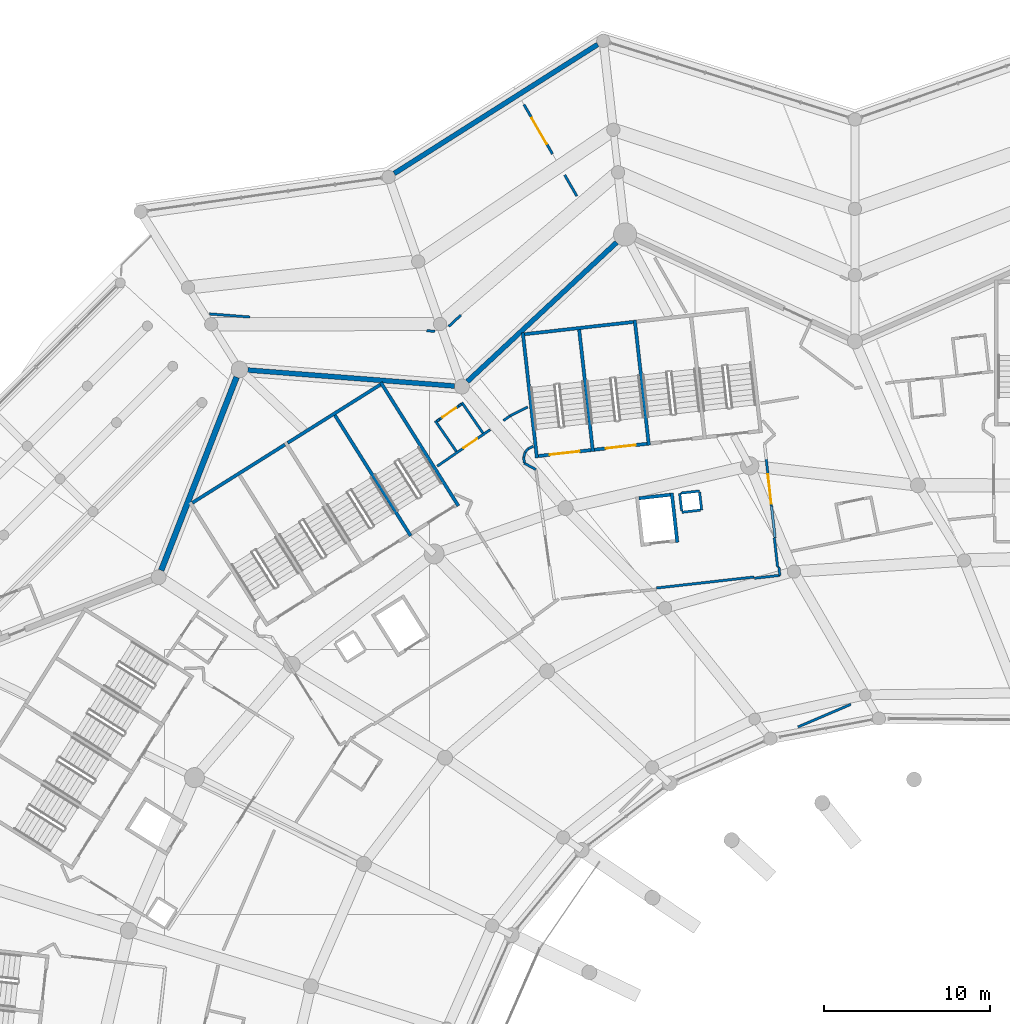
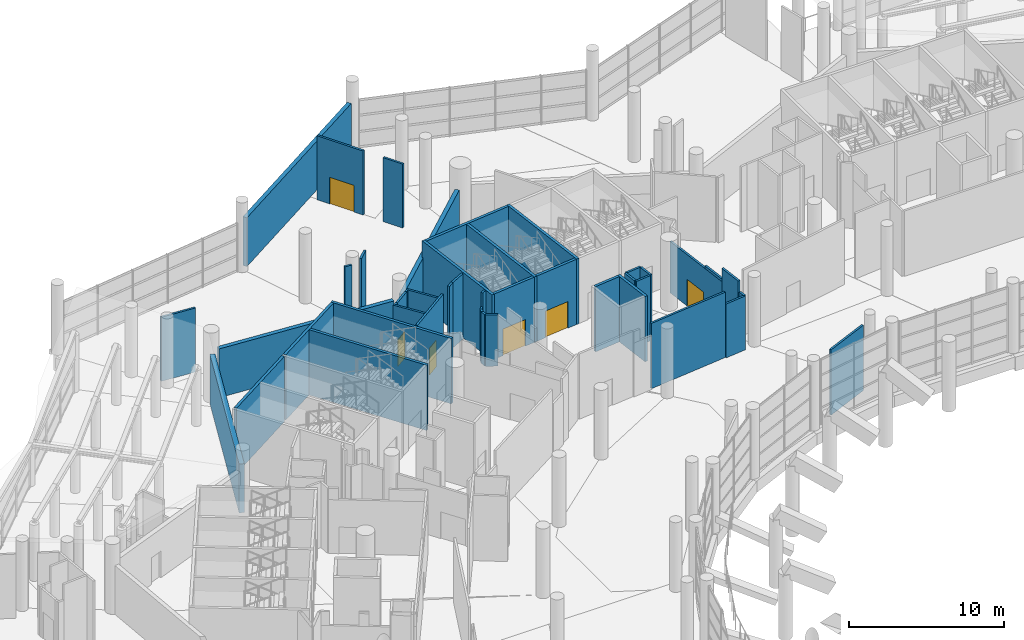
# One storey, part 186 of 271: 45 walls, 6 doors, 6 openings.
"""IFC4 building model written with IfcOpenShell, lengths in metres."""

from ifc_helpers import new_model, si_unit, direction, frame, frame_2d, origin, place, context, subcontext, project, spatial, rectangle, extrude, material, layer, layer_set, type_object, element, fill, save


model = new_model("IFC4")

# Units and contexts
model_context = context("Model", 3, precision=1e-05, world=origin(), true_north=direction((0.0, 1.0)))
body_context = subcontext(model_context, "Body", "Model", "MODEL_VIEW")
ifc_project = project(units=[si_unit("LENGTHUNIT", "METRE"), si_unit("AREAUNIT", "SQUARE_METRE"), si_unit("VOLUMEUNIT", "CUBIC_METRE"), si_unit("PLANEANGLEUNIT", "RADIAN"), si_unit("MASSUNIT", "GRAM", prefix="KILO")], contexts=[model_context])

# Site, building, storey
site_placement = place(None, origin())
site = spatial("IfcSite", under=ifc_project, at=site_placement, CompositionType="ELEMENT")
building_placement = place(site_placement, origin())
building = spatial("IfcBuilding", under=site, at=building_placement, Name="Meseta Stadium", CompositionType="ELEMENT")
storey_placement = place(building_placement, frame((0.0, 0.0, 6.5)))
storey = spatial("IfcBuildingStorey", under=building, at=storey_placement, Name="L01", CompositionType="ELEMENT", Elevation=6.5)

# Walls
ifc_material_1 = material(Name="Concrete C40/50", Category="concrete")
ifc_layer_1 = layer(ifc_material_1, 0.199951171875)
ifc_layer_set_1 = layer_set([ifc_layer_1], Name="Core divider wall 200")
wall_type_1 = type_object("IfcWallType", Name="Core divider wall 200", PredefinedType="SHEAR", material=ifc_layer_set_1)
wall_1_placement = place(storey_placement, frame((-54.999267578125, 99.503662109375, 0.0), z_axis=(0.0, 0.0, 1.0), x_axis=(0.111982724367, -0.993710153638, 0.0)))
element("IfcWall", 1, at=wall_1_placement, inside=storey, type_object=wall_type_1, Name="Core 12 L01 stair B divider wall", PredefinedType="SHEAR", context=body_context, shape_type="SweptSolid", body=[
    extrude(rectangle(XDim=7.60009765625, YDim=0.199951171875, at=frame_2d((3.800048828125, 0.0))), origin(), (0.0, 0.0, 1.0), 5.14990234375),
])
wall_2_placement = place(storey_placement, frame((-69.8291015625, 94.314453125, 0.0), z_axis=(0.0, 0.0, 1.0), x_axis=(0.532032334759, -0.846724036963, 0.0)))
element("IfcWall", 2, at=wall_2_placement, inside=storey, type_object=wall_type_1, Name="Core 13 L01 stair A divider wall", PredefinedType="SHEAR", context=body_context, shape_type="SweptSolid", body=[
    extrude(rectangle(XDim=8.800048828125, YDim=0.199951171875, at=frame_2d((4.39990234375, 0.0))), origin(), (0.0, 0.0, 1.0), 5.14990234375),
])
ifc_material_2 = material(Name="Concrete C40/50", Category="concrete")
ifc_layer_2 = layer(ifc_material_2, 0.199951171875)
ifc_layer_set_2 = layer_set([ifc_layer_2], Name="Core shaft wall 200")
wall_type_2 = type_object("IfcWallType", Name="Core shaft wall 200", PredefinedType="SHEAR", material=ifc_layer_set_2)
wall_3_placement = place(storey_placement, frame((-51.62060546875, 99.884521484375, 0.0), z_axis=(0.0, 0.0, 1.0), x_axis=(0.111947429915, -0.993714130389, 0.0)))
element("IfcWall", 3, at=wall_3_placement, inside=storey, type_object=wall_type_2, Name="Core 12 L01 stair wall shared", PredefinedType="SHEAR", context=body_context, shape_type="SweptSolid", body=[
    extrude(rectangle(XDim=7.600341796875, YDim=0.199951171875, at=frame_2d((3.80029296875, 0.0))), origin(), (0.0, 0.0, 1.0), 5.14990234375),
])
wall_4_placement = place(storey_placement, frame((-58.3779296875, 99.123046875, 0.0), z_axis=(0.0, 0.0, 1.0), x_axis=(0.111982724367, -0.993710153638, 0.0)))
element("IfcWall", 4, at=wall_4_placement, inside=storey, type_object=wall_type_2, Name="Core 12 L01 stair wall B-side", PredefinedType="SHEAR", context=body_context, shape_type="SweptSolid", body=[
    extrude(rectangle(XDim=7.60009765625, YDim=0.199951171875, at=frame_2d((3.800048828125, 0.0))), origin(), (0.0, 0.0, 1.0), 5.14990234375),
])
wall_5_placement = place(storey_placement, frame((-51.708740234375, 99.773681640625, 0.0), z_axis=(0.0, 0.0, 1.0), x_axis=(-0.993715690617, -0.111933579504, 0.0)))
element("IfcWall", 5, at=wall_5_placement, inside=storey, type_object=wall_type_2, Name="Core 12 L01 stair B outer end wall", PredefinedType="SHEAR", context=body_context, shape_type="SweptSolid", body=[
    extrude(rectangle(XDim=6.60009765625, YDim=0.199951171875, at=frame_2d((3.300048828125, 0.0))), origin(), (0.0, 0.0, 1.0), 5.14990234375),
])

# Wall, opening, door
wall_6_placement = place(storey_placement, frame((-50.88037109375, 92.42041015625, 0.0), z_axis=(0.0, 0.0, 1.0), x_axis=(-0.993707560215, -0.112005735442, 0.0)))
wall_6 = element("IfcWall", 6, at=wall_6_placement, inside=storey, type_object=wall_type_2, Name="Core 12 L01 stair B1 inner end wall", PredefinedType="SHEAR", context=body_context, shape_type="SweptSolid", body=[
    extrude(rectangle(XDim=3.19970703125, YDim=0.199951171875, at=frame_2d((1.599853515625, 0.0))), origin(), (0.0, 0.0, 1.0), 5.14990234375),
])
opening_1_placement = place(wall_6_placement, frame((0.699951171875, 0.0, 0.0)))
opening_1 = element("IfcOpeningElement", 7, at=opening_1_placement, cuts=wall_6, Name="Opening D173", PredefinedType="OPENING", context=body_context, shape_type="SweptSolid", body=[
    extrude(rectangle(XDim=1.800048828125, YDim=2.10009765625, at=frame_2d((0.89990234375, 1.050048828125))), frame((0.0, 0.10986328125, 0.0), z_axis=(0.0, -1.0, 0.0), x_axis=(1.0, 0.0, 0.0)), (0.0, 0.0, 1.0), 0.219970703125),
])
ifc_material_3 = material(Name="Steel", Category="steel")
door_type_1 = type_object("IfcDoorType", Name="Stair door 1800x2100", OperationType="DOUBLE_DOOR_SINGLE_SWING", PredefinedType="DOOR", material=ifc_material_3)
door_1_placement = place(opening_1_placement, origin())
door_1 = element("IfcDoor", 8, at=door_1_placement, inside=storey, type_object=door_type_1, Name="Stair B1 door 12 L01", OperationType="DOUBLE_DOOR_SINGLE_SWING", OverallHeight=2.10009765625, OverallWidth=1.800048828125, PredefinedType="DOOR", context=body_context, shape_type="SweptSolid", body=[
    extrude(rectangle(XDim=1.800048828125, YDim=2.10009765625, at=frame_2d((0.89990234375, 1.050048828125))), frame((0.0, 0.02490234375, 0.0), z_axis=(0.0, -1.0, 0.0), x_axis=(1.0, 0.0, 0.0)), (0.0, 0.0, 1.0), 0.050048828125),
])
fill(opening_1, door_1)

wall_7_placement = place(storey_placement, frame((-54.2587890625, 92.03955078125, 0.0), z_axis=(0.0, 0.0, 1.0), x_axis=(-0.993717005286, -0.11192190762, 0.0)))
wall_7 = element("IfcWall", 9, at=wall_7_placement, inside=storey, type_object=wall_type_2, Name="Core 12 L01 stair B2 inner end wall", PredefinedType="SHEAR", context=body_context, shape_type="SweptSolid", body=[
    extrude(rectangle(XDim=3.199951171875, YDim=0.199951171875, at=frame_2d((1.60009765625, 0.0))), origin(), (0.0, 0.0, 1.0), 5.14990234375),
])
opening_2_placement = place(wall_7_placement, frame((0.699951171875, 0.0, 0.0)))
opening_2 = element("IfcOpeningElement", 10, at=opening_2_placement, cuts=wall_7, Name="Opening D174", PredefinedType="OPENING", context=body_context, shape_type="SweptSolid", body=[
    extrude(rectangle(XDim=1.800048828125, YDim=2.10009765625, at=frame_2d((0.89990234375, 1.050048828125))), frame((0.0, 0.10986328125, 0.0), z_axis=(0.0, -1.0, 0.0), x_axis=(1.0, 0.0, 0.0)), (0.0, 0.0, 1.0), 0.219970703125),
])
door_2_placement = place(opening_2_placement, origin())
door_2 = element("IfcDoor", 11, at=door_2_placement, inside=storey, type_object=door_type_1, Name="Stair B2 door 12 L01", OperationType="DOUBLE_DOOR_SINGLE_SWING", OverallHeight=2.10009765625, OverallWidth=1.800048828125, PredefinedType="DOOR", context=body_context, shape_type="SweptSolid", body=[
    extrude(rectangle(XDim=1.800048828125, YDim=2.10009765625, at=frame_2d((0.89990234375, 1.050048828125))), frame((0.0, 0.02490234375, 0.0), z_axis=(0.0, -1.0, 0.0), x_axis=(1.0, 0.0, 0.0)), (0.0, 0.0, 1.0), 0.050048828125),
])
fill(opening_2, door_2)

# Walls
wall_8_placement = place(storey_placement, frame((-49.388671875, 89.45361328125, 0.0), z_axis=(0.0, 0.0, 1.0), x_axis=(0.111976588553, -0.993710845073, 0.0)))
element("IfcWall", 12, at=wall_8_placement, inside=storey, type_object=wall_type_2, Name="Core 12 L01 lift shaft wall left", PredefinedType="SHEAR", context=body_context, shape_type="SweptSolid", body=[
    extrude(rectangle(XDim=3.0, YDim=0.199951171875, at=frame_2d((1.5, 0.0))), origin(), (0.0, 0.0, 1.0), 5.14990234375),
])
wall_9_placement = place(storey_placement, frame((-49.476806640625, 89.343017578125, 0.0), z_axis=(0.0, 0.0, 1.0), x_axis=(-0.993718105662, -0.11191213732, 0.0)))
element("IfcWall", 13, at=wall_9_placement, inside=storey, type_object=wall_type_2, Name="Core 12 L01 lift shaft back wall", PredefinedType="SHEAR", context=body_context, shape_type="SweptSolid", body=[
    extrude(rectangle(XDim=1.900146484375, YDim=0.199951171875, at=frame_2d((0.9501953125, 0.0))), origin(), (0.0, 0.0, 1.0), 5.14990234375),
])
wall_10_placement = place(storey_placement, frame((-66.9501953125, 96.123291015625, 0.0), z_axis=(0.0, 0.0, 1.0), x_axis=(0.532032334759, -0.846724036963, 0.0)))
element("IfcWall", 14, at=wall_10_placement, inside=storey, type_object=wall_type_2, Name="Core 13 L01 stair wall A-side", PredefinedType="SHEAR", context=body_context, shape_type="SweptSolid", body=[
    extrude(rectangle(XDim=8.800048828125, YDim=0.199951171875, at=frame_2d((4.39990234375, 0.0))), origin(), (0.0, 0.0, 1.0), 5.14990234375),
])
for number, where, z_axis, x_axis, name in (
    (15, (-66.981689453125, 95.985595703125, 0.0), (0.0, 0.0, 1.0), (-0.846719870989, -0.532038964807, 0.0), "Core 13 L01 stair A outer end wall"),
    (16, (-72.739501953125, 92.36767578125, 0.0), (0.0, 0.0, 1.0), (-0.846719870989, -0.532038964807, 0.0), "Core 13 L01 stair B outer end wall"),
):
    element("IfcWall", number, at=place(storey_placement, frame(where, z_axis=z_axis, x_axis=x_axis)), inside=storey, type_object=wall_type_2, Name=name, PredefinedType="SHEAR", context=body_context, shape_type="SweptSolid", body=[
        extrude(rectangle(XDim=6.60009765625, YDim=0.199951171875, at=frame_2d((3.300048828125, 0.0))), origin(), (0.0, 0.0, 1.0), 5.14990234375),
    ])
ifc_material_4 = material(Name="Masonry blockwork", Category="masonry")
ifc_layer_3 = layer(ifc_material_4, 0.14990234375)
ifc_layer_set_3 = layer_set([ifc_layer_3], Name="Partition 150")
wall_type_3 = type_object("IfcWallType", Name="Partition 150", PredefinedType="PARTITIONING", material=ifc_layer_set_3)
wall_11_placement = place(storey_placement, frame((-50.31591796875, 83.7138671875, 0.0), z_axis=(0.0, 0.0, 1.0), x_axis=(0.993716960296, 0.111922307073, 0.0)))
element("IfcWall", 17, at=wall_11_placement, inside=storey, type_object=wall_type_3, Name="Partition L01 L01-cell11-0-0", PredefinedType="PARTITIONING", context=body_context, shape_type="SweptSolid", body=[
    extrude(rectangle(XDim=5.93115234375, YDim=0.14990234375, at=frame_2d((2.965576171875, 0.0))), origin(), (0.0, 0.0, 1.0), 5.14990234375),
])
wall_12_placement = place(storey_placement, frame((-42.998291015625, 84.985595703125, 0.0), z_axis=(0.0, 0.0, 1.0), x_axis=(-0.111954160668, 0.993713372109, 0.0)))
element("IfcWall", 18, at=wall_12_placement, inside=storey, type_object=wall_type_3, Name="Partition L01 L01-cell11-0-0", PredefinedType="PARTITIONING", context=body_context, shape_type="SweptSolid", body=[
    extrude(rectangle(XDim=1.77734375, YDim=0.14990234375, at=frame_2d((0.888671875, 0.0))), origin(), (0.0, 0.0, 1.0), 5.14990234375),
])
wall_13_placement = place(storey_placement, frame((-38.578369140625, 76.695068359375, 0.0), z_axis=(0.0, 0.0, 1.0), x_axis=(-0.919265141215, -0.393638921026, 0.0)))
element("IfcWall", 19, at=wall_13_placement, inside=storey, type_object=wall_type_3, Name="Partition L01 L01-cell11-0-0", PredefinedType="PARTITIONING", context=body_context, shape_type="SweptSolid", body=[
    extrude(rectangle(XDim=3.46826171875, YDim=0.14990234375, at=frame_2d((1.734130859375, 0.0))), origin(), (0.0, 0.0, 1.0), 5.14990234375),
])
wall_14_placement = place(storey_placement, frame((-58.07421875, 94.64111328125, 0.0), z_axis=(0.0, 0.0, 1.0), x_axis=(-0.89288454256, -0.450285680049, 0.0)))
element("IfcWall", 20, at=wall_14_placement, inside=storey, type_object=wall_type_3, Name="Partition L01 L01-cell11-2-0", PredefinedType="PARTITIONING", context=body_context, shape_type="SweptSolid", body=[
    extrude(rectangle(XDim=1.20703125, YDim=0.14990234375, at=frame_2d((0.603515625, 0.0))), origin(), (0.0, 0.0, 1.0), 5.14990234375),
])
wall_15_placement = place(storey_placement, frame((-59.15185546875, 94.09765625, 0.0), z_axis=(0.0, 0.0, 1.0), x_axis=(-0.823188427996, -0.567768273165, 0.0)))
element("IfcWall", 21, at=wall_15_placement, inside=storey, type_object=wall_type_3, Name="Partition L01 L01-cell11-2-0", PredefinedType="PARTITIONING", context=body_context, shape_type="SweptSolid", body=[
    extrude(rectangle(XDim=0.484619140625, YDim=0.14990234375, at=frame_2d((0.2421875, 0.0))), origin(), (0.0, 0.0, 1.0), 5.14990234375),
])

# Wall, opening, door
wall_16_placement = place(storey_placement, frame((-60.348388671875, 93.272216796875, 0.0), z_axis=(0.0, 0.0, 1.0), x_axis=(-0.823118384127, -0.567869814053, 0.0)))
wall_16 = element("IfcWall", 22, at=wall_16_placement, inside=storey, type_object=wall_type_3, Name="Partition L01 L01-cell11-2-0", PredefinedType="PARTITIONING", context=body_context, shape_type="SweptSolid", body=[
    extrude(rectangle(XDim=3.876708984375, YDim=0.14990234375, at=frame_2d((1.9384765625, 0.0))), origin(), (0.0, 0.0, 1.0), 5.14990234375),
])
opening_3_placement = place(wall_16_placement, frame((0.949951171875, 0.0, 0.0)))
opening_3 = element("IfcOpeningElement", 23, at=opening_3_placement, cuts=wall_16, Name="Opening D655", PredefinedType="OPENING", context=body_context, shape_type="SweptSolid", body=[
    extrude(rectangle(XDim=1.0, YDim=2.10009765625, at=frame_2d((0.5, 1.050048828125))), frame((0.0, 0.0849609375, 0.0), z_axis=(0.0, -1.0, 0.0), x_axis=(1.0, 0.0, 0.0)), (0.0, 0.0, 1.0), 0.169921875),
])
ifc_material_5 = material(Name="Steel", Category="steel")
door_type_2 = type_object("IfcDoorType", Name="Fire door 1000x2100 EI2 60", OperationType="NOTDEFINED", PredefinedType="DOOR", material=ifc_material_5)
door_3_placement = place(opening_3_placement, origin())
door_3 = element("IfcDoor", 24, at=door_3_placement, inside=storey, type_object=door_type_2, Name="Door D655", OperationType="SINGLE_SWING_LEFT", OverallHeight=2.10009765625, OverallWidth=1.0, PredefinedType="DOOR", context=body_context, shape_type="SweptSolid", body=[
    extrude(rectangle(XDim=1.0, YDim=2.10009765625, at=frame_2d((0.5, 1.050048828125))), frame((0.0, 0.02490234375, 0.0), z_axis=(0.0, -1.0, 0.0), x_axis=(1.0, 0.0, 0.0)), (0.0, 0.0, 1.0), 0.050048828125),
])
fill(opening_3, door_3)

# Wall
wall_17_placement = place(storey_placement, frame((-55.113525390625, 107.367431640625, 0.0), z_axis=(0.0, 0.0, 1.0), x_axis=(-0.500539815233, 0.865713516913, 0.0)))
element("IfcWall", 25, at=wall_17_placement, inside=storey, type_object=wall_type_3, Name="Partition L01 L01-ring10-0", PredefinedType="PARTITIONING", context=body_context, shape_type="SweptSolid", body=[
    extrude(rectangle(XDim=1.473388671875, YDim=0.14990234375, at=frame_2d((0.73681640625, 0.0))), origin(), (0.0, 0.0, 1.0), 5.050048828125),
])

# Wall, opening, door
wall_18_placement = place(storey_placement, frame((-56.58837890625, 109.918701171875, 0.0), z_axis=(0.0, 0.0, 1.0), x_axis=(-0.500453880067, 0.865763197373, 0.0)))
wall_18 = element("IfcWall", 26, at=wall_18_placement, inside=storey, type_object=wall_type_3, Name="Partition L01 L01-ring10-0", PredefinedType="PARTITIONING", context=body_context, shape_type="SweptSolid", body=[
    extrude(rectangle(XDim=3.437744140625, YDim=0.14990234375, at=frame_2d((1.71875, 0.0))), origin(), (0.0, 0.0, 1.0), 5.050048828125),
])
opening_4_placement = place(wall_18_placement, frame((0.699951171875, 0.0, 0.0)))
opening_4 = element("IfcOpeningElement", 27, at=opening_4_placement, cuts=wall_18, Name="Opening D693", PredefinedType="OPENING", context=body_context, shape_type="SweptSolid", body=[
    extrude(rectangle(XDim=1.800048828125, YDim=2.10009765625, at=frame_2d((0.89990234375, 1.050048828125))), frame((0.0, 0.0849609375, 0.0), z_axis=(0.0, -1.0, 0.0), x_axis=(1.0, 0.0, 0.0)), (0.0, 0.0, 1.0), 0.169921875),
])
ifc_material_6 = material(Name="Steel", Category="steel")
door_type_3 = type_object("IfcDoorType", Name="Fire double door 1800x2100 EI2 60", OperationType="DOUBLE_DOOR_SINGLE_SWING", PredefinedType="DOOR", material=ifc_material_6)
door_4_placement = place(opening_4_placement, origin())
door_4 = element("IfcDoor", 28, at=door_4_placement, inside=storey, type_object=door_type_3, Name="Door D693", OperationType="DOUBLE_DOOR_SINGLE_SWING", OverallHeight=2.10009765625, OverallWidth=1.800048828125, PredefinedType="DOOR", context=body_context, shape_type="SweptSolid", body=[
    extrude(rectangle(XDim=1.800048828125, YDim=2.10009765625, at=frame_2d((0.89990234375, 1.050048828125))), frame((0.0, 0.02490234375, 0.0), z_axis=(0.0, -1.0, 0.0), x_axis=(1.0, 0.0, 0.0)), (0.0, 0.0, 1.0), 0.050048828125),
])
fill(opening_4, door_4)

# Walls
wall_19_placement = place(storey_placement, frame((-62.123046875, 100.180419921875, 0.0), z_axis=(0.0, 0.0, 1.0), x_axis=(-0.731655638736, -0.681674428379, 0.0)))
element("IfcWall", 29, at=wall_19_placement, inside=storey, type_object=wall_type_3, Name="Partition L01 L01-ring11-0", PredefinedType="PARTITIONING", context=body_context, shape_type="SweptSolid", body=[
    extrude(rectangle(XDim=0.98681640625, YDim=0.14990234375, at=frame_2d((0.493408203125, 0.0))), origin(), (0.0, 0.0, 1.0), 5.050048828125),
])
wall_20_placement = place(storey_placement, frame((-63.691162109375, 99.208740234375, 0.0), z_axis=(0.0, 0.0, 1.0), x_axis=(-0.997054485502, 0.076696498885, 0.0)))
element("IfcWall", 30, at=wall_20_placement, inside=storey, type_object=wall_type_3, Name="Partition L01 L01-ring11-0", PredefinedType="PARTITIONING", context=body_context, shape_type="SweptSolid", body=[
    extrude(rectangle(XDim=0.487060546875, YDim=0.14990234375, at=frame_2d((0.24365234375, 0.0))), origin(), (0.0, 0.0, 1.0), 5.050048828125),
])
wall_21_placement = place(storey_placement, frame((-74.8564453125, 100.0703125, 0.0), z_axis=(0.0, 0.0, 1.0), x_axis=(-0.99703735319, 0.076918894578, 0.0)))
element("IfcWall", 31, at=wall_21_placement, inside=storey, type_object=wall_type_3, Name="Partition L01 L01-ring11-0", PredefinedType="PARTITIONING", context=body_context, shape_type="SweptSolid", body=[
    extrude(rectangle(XDim=2.4345703125, YDim=0.14990234375, at=frame_2d((1.21728515625, 0.0))), origin(), (0.0, 0.0, 1.0), 5.050048828125),
])
wall_22_placement = place(storey_placement, frame((-47.7158203125, 89.566650390625, 0.0), z_axis=(0.0, 0.0, 1.0), x_axis=(-0.993710504932, -0.11197960702, 0.0)))
element("IfcWall", 32, at=wall_22_placement, inside=storey, type_object=wall_type_3, Name="Pressurisation shaft wall L01 core 12", PredefinedType="PARTITIONING", context=body_context, shape_type="SweptSolid", body=[
    extrude(rectangle(XDim=1.125, YDim=0.14990234375, at=frame_2d((0.5625, 0.0))), origin(), (0.0, 0.0, 1.0), 5.14990234375),
])
wall_23_placement = place(storey_placement, frame((-48.908203125, 89.432373046875, 0.0), z_axis=(0.0, 0.0, 1.0), x_axis=(0.111951742856, -0.993713644503, 0.0)))
element("IfcWall", 33, at=wall_23_placement, inside=storey, type_object=wall_type_3, Name="Pressurisation shaft wall L01 core 12", PredefinedType="PARTITIONING", context=body_context, shape_type="SweptSolid", body=[
    extrude(rectangle(XDim=1.0751953125, YDim=0.14990234375, at=frame_2d((0.53759765625, 0.0))), origin(), (0.0, 0.0, 1.0), 5.14990234375),
])
wall_24_placement = place(storey_placement, frame((-48.779541015625, 88.28955078125, 0.0), z_axis=(0.0, 0.0, 1.0), x_axis=(0.993710504932, 0.11197960702, 0.0)))
element("IfcWall", 34, at=wall_24_placement, inside=storey, type_object=wall_type_3, Name="Pressurisation shaft wall L01 core 12", PredefinedType="PARTITIONING", context=body_context, shape_type="SweptSolid", body=[
    extrude(rectangle(XDim=1.125, YDim=0.14990234375, at=frame_2d((0.5625, 0.0))), origin(), (0.0, 0.0, 1.0), 5.14990234375),
])
wall_25_placement = place(storey_placement, frame((-47.587158203125, 88.423828125, 0.0), z_axis=(0.0, 0.0, 1.0), x_axis=(-0.111951742856, 0.993713644503, 0.0)))
element("IfcWall", 35, at=wall_25_placement, inside=storey, type_object=wall_type_3, Name="Pressurisation shaft wall L01 core 12", PredefinedType="PARTITIONING", context=body_context, shape_type="SweptSolid", body=[
    extrude(rectangle(XDim=1.0751953125, YDim=0.14990234375, at=frame_2d((0.53759765625, 0.0))), origin(), (0.0, 0.0, 1.0), 5.14990234375),
])
wall_26_placement = place(storey_placement, frame((-57.74609375, 92.279296875, 0.0), z_axis=(0.0, 0.0, 1.0), x_axis=(-0.893189909604, -0.449679647506, 0.0)))
element("IfcWall", 36, at=wall_26_placement, inside=storey, type_object=wall_type_3, Name="Stair vestibule wall L01 core 12", PredefinedType="PARTITIONING", context=body_context, shape_type="SweptSolid", body=[
    extrude(rectangle(XDim=0.356201171875, YDim=0.14990234375, at=frame_2d((0.17822265625, 0.0))), origin(), (0.0, 0.0, 1.0), 5.14990234375),
])
wall_27_placement = place(storey_placement, frame((-58.064208984375, 92.119140625, 0.0), z_axis=(0.0, 0.0, 1.0), x_axis=(-0.623858642008, -0.781537199878, 0.0)))
element("IfcWall", 37, at=wall_27_placement, inside=storey, type_object=wall_type_3, Name="Stair vestibule wall L01 core 12", PredefinedType="PARTITIONING", context=body_context, shape_type="SweptSolid", body=[
    extrude(rectangle(XDim=0.284912109375, YDim=0.14990234375, at=frame_2d((0.142578125, 0.0))), origin(), (0.0, 0.0, 1.0), 4.050048828125),
])
wall_28_placement = place(storey_placement, frame((-58.241943359375, 91.896484375, 0.0), z_axis=(0.0, 0.0, 1.0), x_axis=(-0.277006965163, -0.960867910408, 0.0)))
element("IfcWall", 38, at=wall_28_placement, inside=storey, type_object=wall_type_3, Name="Stair vestibule wall L01 core 12", PredefinedType="PARTITIONING", context=body_context, shape_type="SweptSolid", body=[
    extrude(rectangle(XDim=0.281982421875, YDim=0.14990234375, at=frame_2d((0.14111328125, 0.0))), origin(), (0.0, 0.0, 1.0), 4.050048828125),
])
wall_29_placement = place(storey_placement, frame((-58.320068359375, 91.62548828125, 0.0), z_axis=(0.0, 0.0, 1.0), x_axis=(0.07351223589, -0.997294315222, 0.0)))
element("IfcWall", 39, at=wall_29_placement, inside=storey, type_object=wall_type_3, Name="Stair vestibule wall L01 core 12", PredefinedType="PARTITIONING", context=body_context, shape_type="SweptSolid", body=[
    extrude(rectangle(XDim=0.375244140625, YDim=0.14990234375, at=frame_2d((0.1875, 0.0))), origin(), (0.0, 0.0, 1.0), 4.050048828125),
])
wall_30_placement = place(storey_placement, frame((-58.29248046875, 91.251220703125, 0.0), z_axis=(0.0, 0.0, 1.0), x_axis=(0.876841522973, -0.480779516608, 0.0)))
element("IfcWall", 40, at=wall_30_placement, inside=storey, type_object=wall_type_3, Name="Stair vestibule wall L01 core 12", PredefinedType="PARTITIONING", context=body_context, shape_type="SweptSolid", body=[
    extrude(rectangle(XDim=0.79833984375, YDim=0.14990234375, at=frame_2d((0.399169921875, 0.0))), origin(), (0.0, 0.0, 1.0), 4.050048828125),
])
wall_31_placement = place(storey_placement, frame((-44.40380859375, 84.304443359375, 0.0), z_axis=(0.0, 0.0, 1.0), x_axis=(0.993711371041, 0.111971920876, 0.0)))
element("IfcWall", 41, at=wall_31_placement, inside=storey, type_object=wall_type_3, Name="Stair vestibule wall L01 core 12", PredefinedType="PARTITIONING", context=body_context, shape_type="SweptSolid", body=[
    extrude(rectangle(XDim=1.548095703125, YDim=0.14990234375, at=frame_2d((0.77392578125, 0.0))), origin(), (0.0, 0.0, 1.0), 4.25),
])
wall_32_placement = place(storey_placement, frame((-42.865478515625, 84.477783203125, 0.0), z_axis=(0.0, 0.0, 1.0), x_axis=(-0.112167534238, 0.993689309726, 0.0)))
element("IfcWall", 42, at=wall_32_placement, inside=storey, type_object=wall_type_3, Name="Stair vestibule wall L01 core 12", PredefinedType="PARTITIONING", context=body_context, shape_type="SweptSolid", body=[
    extrude(rectangle(XDim=0.50927734375, YDim=0.14990234375, at=frame_2d((0.254638671875, 0.0))), origin(), (0.0, 0.0, 1.0), 4.25),
])

# Wall, opening, door
wall_33_placement = place(storey_placement, frame((-43.153564453125, 86.7666015625, 0.0), z_axis=(0.0, 0.0, 1.0), x_axis=(-0.111890590311, 0.993720532041, 0.0)))
wall_33 = element("IfcWall", 43, at=wall_33_placement, inside=storey, type_object=wall_type_3, Name="Stair vestibule wall L01 core 12", PredefinedType="PARTITIONING", context=body_context, shape_type="SweptSolid", body=[
    extrude(rectangle(XDim=5.692626953125, YDim=0.14990234375, at=frame_2d((2.84619140625, 0.0))), origin(), (0.0, 0.0, 1.0), 4.050048828125),
])
opening_5_placement = place(wall_33_placement, frame((2.050048828125, 0.0, 0.0)))
opening_5 = element("IfcOpeningElement", 44, at=opening_5_placement, cuts=wall_33, Name="Opening D772", PredefinedType="OPENING", context=body_context, shape_type="SweptSolid", body=[
    extrude(rectangle(XDim=1.800048828125, YDim=2.10009765625, at=frame_2d((0.89990234375, 1.050048828125))), frame((0.0, 0.0849609375, 0.0), z_axis=(0.0, -1.0, 0.0), x_axis=(1.0, 0.0, 0.0)), (0.0, 0.0, 1.0), 0.169921875),
])
door_5_placement = place(opening_5_placement, origin())
door_5 = element("IfcDoor", 45, at=door_5_placement, inside=storey, type_object=door_type_3, Name="Stair vestibule door L01 core 12", OperationType="DOUBLE_DOOR_SINGLE_SWING", OverallHeight=2.10009765625, OverallWidth=1.800048828125, PredefinedType="DOOR", context=body_context, shape_type="SweptSolid", body=[
    extrude(rectangle(XDim=1.800048828125, YDim=2.10009765625, at=frame_2d((0.89990234375, 1.050048828125))), frame((0.0, 0.02490234375, 0.0), z_axis=(0.0, -1.0, 0.0), x_axis=(1.0, 0.0, 0.0)), (0.0, 0.0, 1.0), 0.050048828125),
])
fill(opening_5, door_5)

# Walls
wall_34_placement = place(storey_placement, frame((-43.153564453125, 86.7666015625, 4.050048828125), z_axis=(0.0, 0.0, 1.0), x_axis=(-0.111928169471, 0.993716299997, 0.0)))
element("IfcWall", 46, at=wall_34_placement, inside=storey, type_object=wall_type_3, Name="Stair vestibule wall L01 core 12", PredefinedType="PARTITIONING", context=body_context, shape_type="SweptSolid", body=[
    extrude(rectangle(XDim=1.897705078125, YDim=0.14990234375, at=frame_2d((0.94873046875, 0.0))), origin(), (0.0, 0.0, 1.0), 0.199951171875),
])
wall_35_placement = place(storey_placement, frame((-60.781982421875, 93.064208984375, 0.0), z_axis=(0.0, 0.0, 1.0), x_axis=(-0.567951008847, 0.823062361884, 0.0)))
element("IfcWall", 47, at=wall_35_placement, inside=storey, type_object=wall_type_3, Name="Partition L01 L01-cell11-2-0 vestibule", PredefinedType="PARTITIONING", context=body_context, shape_type="SweptSolid", body=[
    extrude(rectangle(XDim=2.25, YDim=0.14990234375, at=frame_2d((1.125, 0.0))), origin(), (0.0, 0.0, 1.0), 5.14990234375),
])
wall_36_placement = place(storey_placement, frame((-62.38720703125, 91.956787109375, 0.0), z_axis=(0.0, 0.0, 1.0), x_axis=(-0.567877492691, 0.823113086578, 0.0)))
element("IfcWall", 48, at=wall_36_placement, inside=storey, type_object=wall_type_3, Name="Partition L01 L01-cell11-2-0 vestibule", PredefinedType="PARTITIONING", context=body_context, shape_type="SweptSolid", body=[
    extrude(rectangle(XDim=2.249755859375, YDim=0.14990234375, at=frame_2d((1.125, 0.0))), origin(), (0.0, 0.0, 1.0), 5.14990234375),
])
wall_37_placement = place(storey_placement, frame((-62.078857421875, 94.811767578125, 0.0), z_axis=(0.0, 0.0, 1.0), x_axis=(-0.82350760101, -0.567305236251, 0.0)))
element("IfcWall", 49, at=wall_37_placement, inside=storey, type_object=wall_type_3, Name="Partition L01 L01-cell11-2-0 vestibule", PredefinedType="PARTITIONING", context=body_context, shape_type="SweptSolid", body=[
    extrude(rectangle(XDim=0.2001953125, YDim=0.14990234375, at=frame_2d((0.10009765625, 0.0))), origin(), (0.0, 0.0, 1.0), 5.14990234375),
])

# Wall, opening, door
wall_38_placement = place(storey_placement, frame((-62.24365234375, 94.6982421875, 0.0), z_axis=(0.0, 0.0, 1.0), x_axis=(-0.823145326685, -0.567830759256, 0.0)))
wall_38 = element("IfcWall", 50, at=wall_38_placement, inside=storey, type_object=wall_type_3, Name="Partition L01 L01-cell11-2-0 vestibule", PredefinedType="PARTITIONING", context=body_context, shape_type="SweptSolid", body=[
    extrude(rectangle(XDim=1.39990234375, YDim=0.14990234375, at=frame_2d((0.699951171875, 0.0))), origin(), (0.0, 0.0, 1.0), 5.14990234375),
])
opening_6_placement = place(wall_38_placement, frame((0.199951171875, 0.0, 0.0)))
opening_6 = element("IfcOpeningElement", 51, at=opening_6_placement, cuts=wall_38, Name="Opening D899", PredefinedType="OPENING", context=body_context, shape_type="SweptSolid", body=[
    extrude(rectangle(XDim=1.0, YDim=2.10009765625, at=frame_2d((0.5, 1.050048828125))), frame((0.0, 0.0849609375, 0.0), z_axis=(0.0, -1.0, 0.0), x_axis=(1.0, 0.0, 0.0)), (0.0, 0.0, 1.0), 0.169921875),
])
door_6_placement = place(opening_6_placement, origin())
door_6 = element("IfcDoor", 52, at=door_6_placement, inside=storey, type_object=door_type_2, Name="Vestibule door L01 L01-cell11-2-0", OperationType="SINGLE_SWING_RIGHT", OverallHeight=2.10009765625, OverallWidth=1.0, PredefinedType="DOOR", context=body_context, shape_type="SweptSolid", body=[
    extrude(rectangle(XDim=1.0, YDim=2.10009765625, at=frame_2d((0.5, 1.050048828125))), frame((0.0, 0.02490234375, 0.0), z_axis=(0.0, -1.0, 0.0), x_axis=(1.0, 0.0, 0.0)), (0.0, 0.0, 1.0), 0.050048828125),
])
fill(opening_6, door_6)

# Walls
wall_39_placement = place(storey_placement, frame((-63.39599609375, 93.9033203125, 0.0), z_axis=(0.0, 0.0, 1.0), x_axis=(-0.8225435075, -0.568702187678, 0.0)))
element("IfcWall", 53, at=wall_39_placement, inside=storey, type_object=wall_type_3, Name="Partition L01 L01-cell11-2-0 vestibule", PredefinedType="PARTITIONING", context=body_context, shape_type="SweptSolid", body=[
    extrude(rectangle(XDim=0.199951171875, YDim=0.14990234375, at=frame_2d((0.10009765625, 0.0))), origin(), (0.0, 0.0, 1.0), 5.14990234375),
])
ifc_material_7 = material(Name="White precast concrete C40/50", Category="concrete")
ifc_layer_4 = layer(ifc_material_7, 0.300048828125)
ifc_layer_set_4 = layer_set([ifc_layer_4], Name="Pleated panel wall 300 concourse")
wall_type_4 = type_object("IfcWallType", Name="Pleated panel wall 300 concourse", PredefinedType="SOLIDWALL", material=ifc_layer_set_4)
wall_40_placement = place(storey_placement, frame((-61.72265625, 96.17919921875, 0.0), z_axis=(0.0, 0.0, 1.0), x_axis=(0.731540985517, 0.681797467368, 0.0)))
element("IfcWall", 54, at=wall_40_placement, inside=storey, type_object=wall_type_4, Name="Pleated facade panel L01 F22", PredefinedType="SOLIDWALL", context=body_context, shape_type="SweptSolid", body=[
    extrude(rectangle(XDim=12.314208984375, YDim=0.300048828125, at=frame_2d((6.1572265625, 0.0))), origin(), (0.0, 0.0, 1.0), 3.85009765625),
])
wall_41_placement = place(storey_placement, frame((-74.9765625, 96.8701171875, 0.0), z_axis=(0.0, 0.0, 1.0), x_axis=(0.997035289114, -0.076945644854, 0.0)))
element("IfcWall", 55, at=wall_41_placement, inside=storey, type_object=wall_type_4, Name="Pleated facade panel L01 F23", PredefinedType="SOLIDWALL", context=body_context, shape_type="SweptSolid", body=[
    extrude(rectangle(XDim=12.513916015625, YDim=0.300048828125, at=frame_2d((6.2568359375, 0.0))), origin(), (0.0, 0.0, 1.0), 3.85009765625),
])
ifc_material_8 = material(Name="White precast concrete C40/50", Category="concrete")
ifc_layer_5 = layer(ifc_material_8, 0.35009765625)
ifc_layer_set_5 = layer_set([ifc_layer_5], Name="Pleated panel wall 350 gate")
wall_type_5 = type_object("IfcWallType", Name="Pleated panel wall 350 gate", PredefinedType="SOLIDWALL", material=ifc_layer_set_5)
wall_42_placement = place(storey_placement, frame((-80.2021484375, 84.784423828125, 0.0), z_axis=(0.0, 0.0, 1.0), x_axis=(0.363293457312, 0.931674762927, 0.0)))
element("IfcWall", 56, at=wall_42_placement, inside=storey, type_object=wall_type_5, Name="Pleated facade panel L01 F24", PredefinedType="SOLIDWALL", context=body_context, shape_type="SweptSolid", body=[
    extrude(rectangle(XDim=12.513671875, YDim=0.35009765625, at=frame_2d((6.2568359375, 0.0))), origin(), (0.0, 0.0, 1.0), 3.85009765625),
])
ifc_material_9 = material(Name="Precast concrete C40/50", Category="concrete")
ifc_layer_6 = layer(ifc_material_9, 0.300048828125)
ifc_layer_set_6 = layer_set([ifc_layer_6], Name="Ring facade panel wall 300")
wall_type_6 = type_object("IfcWallType", Name="Ring facade panel wall 300", PredefinedType="SOLIDWALL", material=ifc_layer_set_6)
wall_43_placement = place(storey_placement, frame((-66.139404296875, 108.735107421875, 0.0), z_axis=(0.0, 0.0, 1.0), x_axis=(0.844493393786, 0.535565969654, 0.0)))
element("IfcWall", 57, at=wall_43_placement, inside=storey, type_object=wall_type_6, Name="Ring plant panel wall L01 F22", PredefinedType="SOLIDWALL", context=body_context, shape_type="SweptSolid", body=[
    extrude(rectangle(XDim=14.543701171875, YDim=0.300048828125, at=frame_2d((7.27197265625, 0.0))), origin(), (0.0, 0.0, 1.0), 3.85009765625),
])

save(model, "model.ifc")
